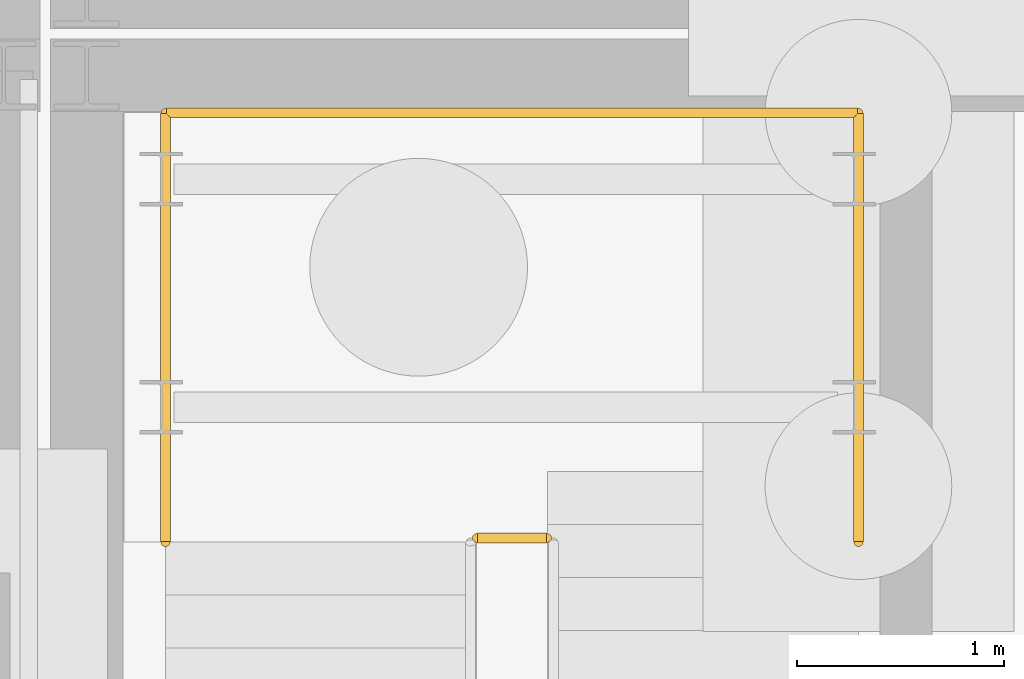
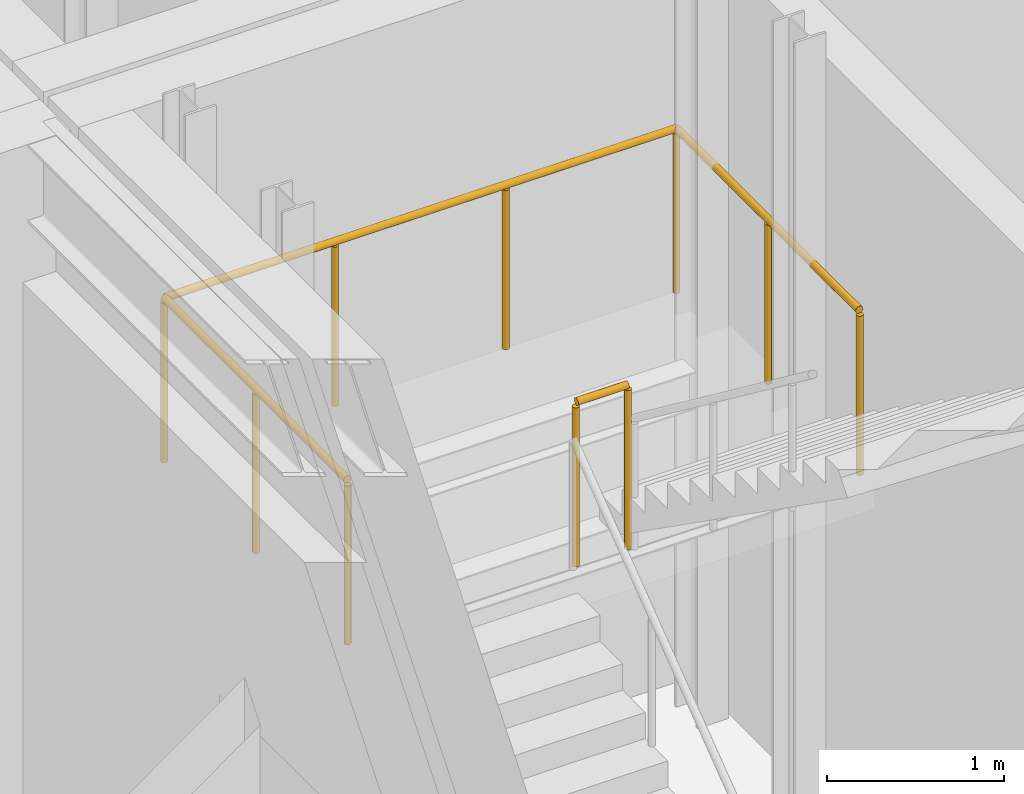
# One storey, part 56 of 62: 2 railings.
"""IFC4 building model written with IfcOpenShell, lengths in metres."""

from ifc_helpers import new_model, si_unit, direction, frame, origin, origin_2d, place, context, subcontext, project, spatial, circle, extrude, material, type_object, element, save


model = new_model("IFC4")

# Units and contexts
model_context = context("Model", 3, precision=1e-05, world=origin(), true_north=direction((0.0, 1.0)))
body_context = subcontext(model_context, "Body", "Model", "MODEL_VIEW")
ifc_project = project(units=[si_unit("LENGTHUNIT", "METRE"), si_unit("AREAUNIT", "SQUARE_METRE"), si_unit("VOLUMEUNIT", "CUBIC_METRE"), si_unit("PLANEANGLEUNIT", "RADIAN"), si_unit("MASSUNIT", "GRAM", prefix="KILO")], contexts=[model_context])

# Site, building, storey
site_placement = place(None, origin())
site = spatial("IfcSite", under=ifc_project, at=site_placement, CompositionType="ELEMENT")
building_placement = place(site_placement, origin())
building = spatial("IfcBuilding", under=site, at=building_placement, Name="Zulena Civic Courthouse", CompositionType="ELEMENT")
storey_placement = place(building_placement, origin())
storey = spatial("IfcBuildingStorey", under=building, at=storey_placement, Name="L00", CompositionType="ELEMENT", Elevation=0.0)

# Railings
ifc_material = material(Name="Brushed architectural steel ASTM A36", Category="steel")
railing_type = type_object("IfcRailingType", Name="InteriorGuardrail_1150", PredefinedType="GUARDRAIL", material=ifc_material)
railing_1_placement = place(storey_placement, frame((124.780029296875, 28.149658203125, 2.699951171875)))
element("IfcRailing", 1, at=railing_1_placement, inside=storey, type_object=railing_type, Name="gr:lnd:K1A:L00", PredefinedType="GUARDRAIL", context=body_context, shape_type="SweptSolid", body=[
    extrude(circle(Radius=0.02392578125, at=origin_2d()), frame((0.0, 0.00390625, 1.1259765625), z_axis=(0.0, 1.0, 0.0), x_axis=(-1.0, 0.0, 0.0)), (0.0, 0.0, 1.0), 2.062255859375),
    extrude(circle(Radius=0.02392578125, at=origin_2d()), frame((0.00390625, 2.0703125, 1.1259765625), z_axis=(1.0, 0.0, 0.0), x_axis=(0.0, 1.0, 0.0)), (0.0, 0.0, 1.0), 3.33203125),
    extrude(circle(Radius=0.02392578125, at=origin_2d()), frame((3.340087890625, 2.06640625, 1.1259765625), z_axis=(0.0, -1.0, 0.0), x_axis=(1.0, 0.0, 0.0)), (0.0, 0.0, 1.0), 2.062255859375),
    extrude(circle(Radius=0.02099609375, at=origin_2d()), origin(), (0.0, 0.0, 1.0), 1.097900390625),
    extrude(circle(Radius=0.02099609375, at=origin_2d()), frame((0.0, 1.03515625, 0.0)), (0.0, 0.0, 1.0), 1.097900390625),
    extrude(circle(Radius=0.02099609375, at=origin_2d()), frame((0.0, 2.0703125, 0.0)), (0.0, 0.0, 1.0), 1.097900390625),
    extrude(circle(Radius=0.02099609375, at=origin_2d()), frame((1.11328125, 2.0703125, 0.0)), (0.0, 0.0, 1.0), 1.097900390625),
    extrude(circle(Radius=0.02099609375, at=origin_2d()), frame((2.226806640625, 2.0703125, 0.0)), (0.0, 0.0, 1.0), 1.097900390625),
    extrude(circle(Radius=0.02099609375, at=origin_2d()), frame((3.340087890625, 2.0703125, 0.0)), (0.0, 0.0, 1.0), 1.097900390625),
    extrude(circle(Radius=0.02099609375, at=origin_2d()), frame((3.340087890625, 1.03515625, 0.0)), (0.0, 0.0, 1.0), 1.097900390625),
    extrude(circle(Radius=0.02099609375, at=origin_2d()), frame((3.340087890625, 0.0, 0.0)), (0.0, 0.0, 1.0), 1.097900390625),
])
railing_2_placement = place(storey_placement, frame((126.280029296875, 28.169921875, 2.699951171875)))
element("IfcRailing", 2, at=railing_2_placement, inside=storey, type_object=railing_type, Name="gr:lndslot:K1A:L00", PredefinedType="GUARDRAIL", context=body_context, shape_type="SweptSolid", body=[
    extrude(circle(Radius=0.02392578125, at=origin_2d()), frame((0.00390625, 0.0, 1.1259765625), z_axis=(1.0, 0.0, 0.0), x_axis=(0.0, 1.0, 0.0)), (0.0, 0.0, 1.0), 0.33203125),
    extrude(circle(Radius=0.02099609375, at=origin_2d()), origin(), (0.0, 0.0, 1.0), 1.097900390625),
    extrude(circle(Radius=0.02099609375, at=origin_2d()), frame((0.340087890625, 0.0, 0.0)), (0.0, 0.0, 1.0), 1.097900390625),
])

save(model, "model.ifc")
